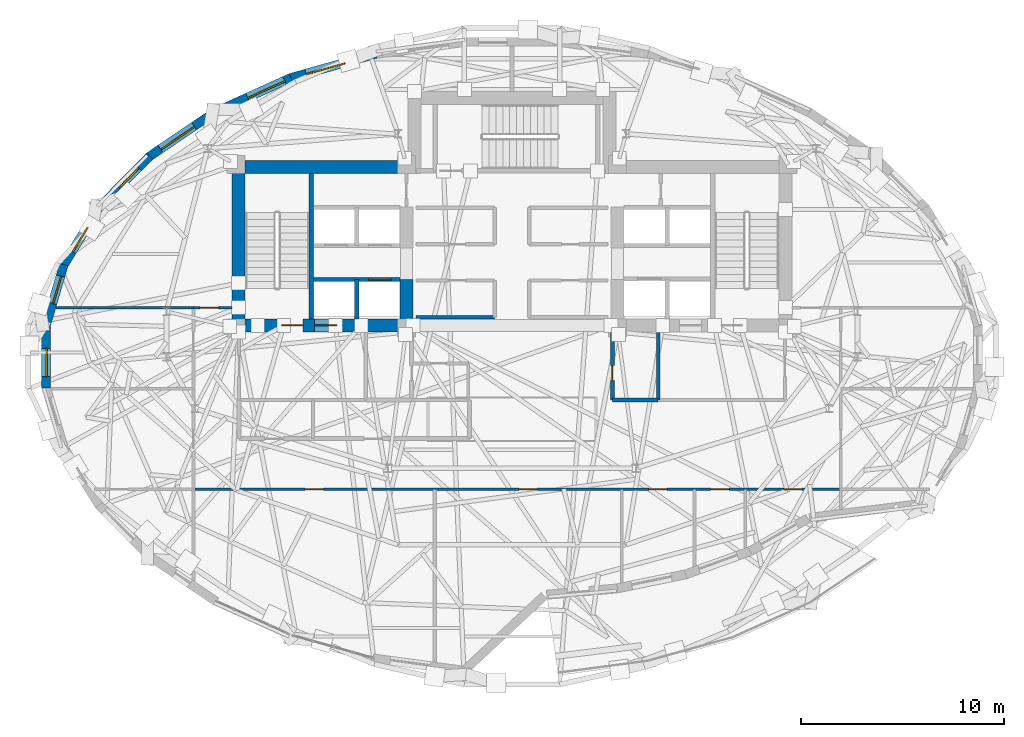
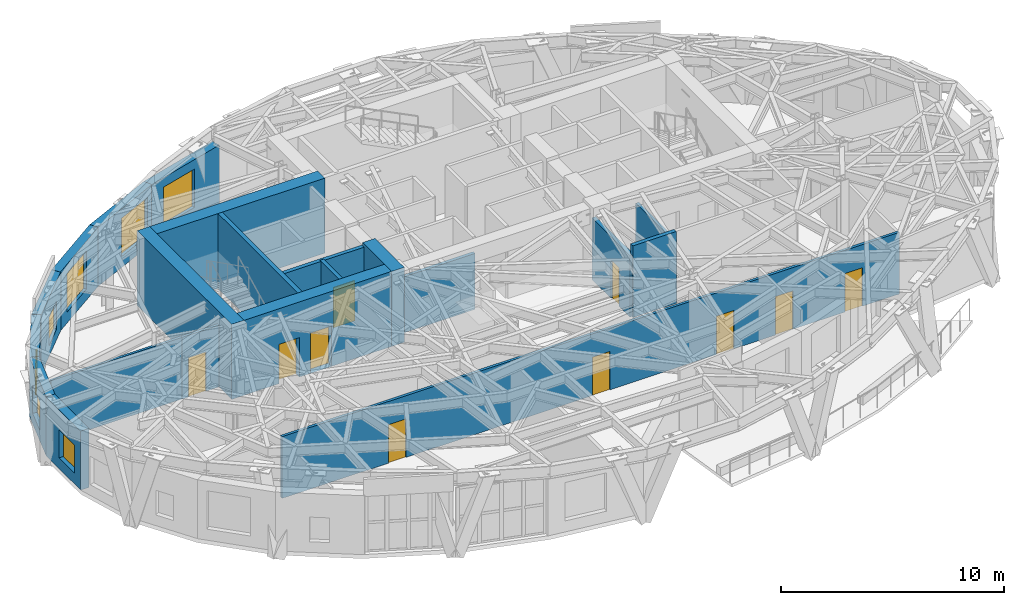
# One storey, part 9 of 15: 21 walls, 10 doors, 7 windows, 17 openings.
"""IFC4 building model written with IfcOpenShell, lengths in metres."""

from ifc_helpers import new_model, si_unit, direction, frame, frame_2d, origin, place, context, subcontext, project, spatial, rectangle, extrude, material, layer, layer_set, type_object, element, fill, save


model = new_model("IFC4")

# Units and contexts
model_context = context("Model", 3, precision=1e-05, world=origin(), true_north=direction((0.0, 1.0)))
body_context = subcontext(model_context, "Body", "Model", "MODEL_VIEW")
ifc_project = project(units=[si_unit("LENGTHUNIT", "METRE"), si_unit("AREAUNIT", "SQUARE_METRE"), si_unit("VOLUMEUNIT", "CUBIC_METRE"), si_unit("PLANEANGLEUNIT", "RADIAN"), si_unit("MASSUNIT", "GRAM", prefix="KILO")], contexts=[model_context])

# Site, building, storey
site_placement = place(None, origin())
site = spatial("IfcSite", under=ifc_project, at=site_placement, CompositionType="ELEMENT")
building_placement = place(site_placement, origin())
building = spatial("IfcBuilding", under=site, at=building_placement, Name="Keldmark Tower", CompositionType="ELEMENT")
storey_placement = place(building_placement, frame((0.0, 0.0, 205.89990234375)))
storey = spatial("IfcBuildingStorey", under=building, at=storey_placement, Name="L57", CompositionType="ELEMENT", Elevation=205.89990234375)

# Wall, openings, doors
ifc_material_1 = material(Name="Acoustic Double-Layer Gypsum Corridor Partition", Category="gypsum")
ifc_layer_1 = layer(ifc_material_1, 0.139892578125)
ifc_layer_set_1 = layer_set([ifc_layer_1], Name="Acoustic Double-Layer Gypsum Corridor Partition")
wall_type_1 = type_object("IfcWallType", Name="Acoustic Corridor Partition 140 mm", PredefinedType="PARTITIONING", material=ifc_layer_set_1)
wall_1_placement = place(storey_placement, frame((-15.699951171875, -6.550048828125, 0.0), z_axis=(0.0, 0.0, 1.0), x_axis=(1.0, 0.0, 0.0)))
wall_1 = element("IfcWall", 1, at=wall_1_placement, inside=storey, type_object=wall_type_1, Name="L57 Acoustic Corridor Partition 140 mm COR-S", PredefinedType="PARTITIONING", context=body_context, shape_type="SweptSolid", body=[
    extrude(rectangle(XDim=31.89990234375, YDim=0.139892578125, at=frame_2d((15.949951171875, 0.0))), origin(), (0.0, 0.0, 1.0), 3.373046875),
])
opening_1_placement = place(wall_1_placement, frame((5.5, 0.0, 0.0)))
opening_1 = element("IfcOpeningElement", 2, at=opening_1_placement, cuts=wall_1, Name="Opening D-IN090", PredefinedType="OPENING", context=body_context, shape_type="SweptSolid", body=[
    extrude(rectangle(XDim=0.89990234375, YDim=2.10009765625, at=frame_2d((0.449951171875, 1.050048828125))), frame((0.0, 0.079833984375, 0.0), z_axis=(0.0, -1.0, 0.0), x_axis=(1.0, 0.0, 0.0)), (0.0, 0.0, 1.0), 0.159912109375),
])
opening_2_placement = place(wall_1_placement, frame((16.050048828125, 0.0, 0.0)))
opening_2 = element("IfcOpeningElement", 3, at=opening_2_placement, cuts=wall_1, Name="Opening D-IN090", PredefinedType="OPENING", context=body_context, shape_type="SweptSolid", body=[
    extrude(rectangle(XDim=0.89990234375, YDim=2.10009765625, at=frame_2d((0.449951171875, 1.050048828125))), frame((0.0, 0.079833984375, 0.0), z_axis=(0.0, -1.0, 0.0), x_axis=(1.0, 0.0, 0.0)), (0.0, 0.0, 1.0), 0.159912109375),
])
opening_3_placement = place(wall_1_placement, frame((22.446044921875, 0.0, 0.0)))
opening_3 = element("IfcOpeningElement", 4, at=opening_3_placement, cuts=wall_1, Name="Opening D-IN090", PredefinedType="OPENING", context=body_context, shape_type="SweptSolid", body=[
    extrude(rectangle(XDim=0.89990234375, YDim=2.10009765625, at=frame_2d((0.449951171875, 1.050048828125))), frame((0.0, 0.079833984375, 0.0), z_axis=(0.0, -1.0, 0.0), x_axis=(1.0, 0.0, 0.0)), (0.0, 0.0, 1.0), 0.159912109375),
])
opening_4_placement = place(wall_1_placement, frame((25.491943359375, 0.0, 0.0)))
opening_4 = element("IfcOpeningElement", 5, at=opening_4_placement, cuts=wall_1, Name="Opening D-IN090", PredefinedType="OPENING", context=body_context, shape_type="SweptSolid", body=[
    extrude(rectangle(XDim=0.89990234375, YDim=2.10009765625, at=frame_2d((0.449951171875, 1.050048828125))), frame((0.0, 0.079833984375, 0.0), z_axis=(0.0, -1.0, 0.0), x_axis=(1.0, 0.0, 0.0)), (0.0, 0.0, 1.0), 0.159912109375),
])
opening_5_placement = place(wall_1_placement, frame((29.095947265625, 0.0, 0.0)))
opening_5 = element("IfcOpeningElement", 6, at=opening_5_placement, cuts=wall_1, Name="Opening D-IN090", PredefinedType="OPENING", context=body_context, shape_type="SweptSolid", body=[
    extrude(rectangle(XDim=0.89990234375, YDim=2.10009765625, at=frame_2d((0.449951171875, 1.050048828125))), frame((0.0, 0.079833984375, 0.0), z_axis=(0.0, -1.0, 0.0), x_axis=(1.0, 0.0, 0.0)), (0.0, 0.0, 1.0), 0.159912109375),
])
ifc_material_2 = material(Name="Stained American White Oak Veneer", Category="wood")
door_type_1 = type_object("IfcDoorType", Name="Interior Door 900x2100", OperationType="NOTDEFINED", PredefinedType="DOOR", material=ifc_material_2)
door_1_placement = place(opening_1_placement, origin())
door_1 = element("IfcDoor", 7, at=door_1_placement, inside=storey, type_object=door_type_1, Name="L57 Interior Door 900x2100 D-SR-1-L57", OperationType="SINGLE_SWING_LEFT", OverallHeight=2.10009765625, OverallWidth=0.89990234375, PredefinedType="DOOR", context=body_context, shape_type="SweptSolid", body=[
    extrude(rectangle(XDim=0.89990234375, YDim=2.10009765625, at=frame_2d((0.449951171875, 1.050048828125))), frame((0.0, 0.02490234375, 0.0), z_axis=(0.0, -1.0, 0.0), x_axis=(1.0, 0.0, 0.0)), (0.0, 0.0, 1.0), 0.050048828125),
])
fill(opening_1, door_1)
door_2_placement = place(opening_2_placement, origin())
door_2 = element("IfcDoor", 8, at=door_2_placement, inside=storey, type_object=door_type_1, Name="L57 Interior Door 900x2100 D-SR-2-L57", OperationType="SINGLE_SWING_RIGHT", OverallHeight=2.10009765625, OverallWidth=0.89990234375, PredefinedType="DOOR", context=body_context, shape_type="SweptSolid", body=[
    extrude(rectangle(XDim=0.89990234375, YDim=2.10009765625, at=frame_2d((0.449951171875, 1.050048828125))), frame((0.0, 0.02490234375, 0.0), z_axis=(0.0, -1.0, 0.0), x_axis=(1.0, 0.0, 0.0)), (0.0, 0.0, 1.0), 0.050048828125),
])
fill(opening_2, door_2)
door_3_placement = place(opening_3_placement, origin())
door_3 = element("IfcDoor", 9, at=door_3_placement, inside=storey, type_object=door_type_1, Name="L57 Interior Door 900x2100 D-SR-3-L57", OperationType="SINGLE_SWING_RIGHT", OverallHeight=2.10009765625, OverallWidth=0.89990234375, PredefinedType="DOOR", context=body_context, shape_type="SweptSolid", body=[
    extrude(rectangle(XDim=0.89990234375, YDim=2.10009765625, at=frame_2d((0.449951171875, 1.050048828125))), frame((0.0, 0.02490234375, 0.0), z_axis=(0.0, -1.0, 0.0), x_axis=(1.0, 0.0, 0.0)), (0.0, 0.0, 1.0), 0.050048828125),
])
fill(opening_3, door_3)
door_4_placement = place(opening_4_placement, origin())
door_4 = element("IfcDoor", 10, at=door_4_placement, inside=storey, type_object=door_type_1, Name="L57 Interior Door 900x2100 D-STERR-L57", OperationType="SINGLE_SWING_LEFT", OverallHeight=2.10009765625, OverallWidth=0.89990234375, PredefinedType="DOOR", context=body_context, shape_type="SweptSolid", body=[
    extrude(rectangle(XDim=0.89990234375, YDim=2.10009765625, at=frame_2d((0.449951171875, 1.050048828125))), frame((0.0, 0.02490234375, 0.0), z_axis=(0.0, -1.0, 0.0), x_axis=(1.0, 0.0, 0.0)), (0.0, 0.0, 1.0), 0.050048828125),
])
fill(opening_4, door_4)
door_5_placement = place(opening_5_placement, origin())
door_5 = element("IfcDoor", 11, at=door_5_placement, inside=storey, type_object=door_type_1, Name="L57 Interior Door 900x2100 D-SR-5-L57", OperationType="SINGLE_SWING_LEFT", OverallHeight=2.10009765625, OverallWidth=0.89990234375, PredefinedType="DOOR", context=body_context, shape_type="SweptSolid", body=[
    extrude(rectangle(XDim=0.89990234375, YDim=2.10009765625, at=frame_2d((0.449951171875, 1.050048828125))), frame((0.0, 0.02490234375, 0.0), z_axis=(0.0, -1.0, 0.0), x_axis=(1.0, 0.0, 0.0)), (0.0, 0.0, 1.0), 0.050048828125),
])
fill(opening_5, door_5)

# Wall, opening, door
wall_2_placement = place(storey_placement, frame((-15.699951171875, 2.39990234375, 0.0), z_axis=(0.0, 0.0, 1.0), x_axis=(1.0, 0.0, 0.0)))
wall_2 = element("IfcWall", 12, at=wall_2_placement, inside=storey, type_object=wall_type_1, Name="L57 Acoustic Corridor Partition 140 mm COR-WN-CAP", PredefinedType="PARTITIONING", context=body_context, shape_type="SweptSolid", body=[
    extrude(rectangle(XDim=1.89990234375, YDim=0.139892578125, at=frame_2d((0.949951171875, 0.0))), origin(), (0.0, 0.0, 1.0), 3.373046875),
])
opening_6_placement = place(wall_2_placement, frame((0.320068359375, 0.0, 0.0)))
opening_6 = element("IfcOpeningElement", 13, at=opening_6_placement, cuts=wall_2, Name="Opening D-EX092", PredefinedType="OPENING", context=body_context, shape_type="SweptSolid", body=[
    extrude(rectangle(XDim=0.919921875, YDim=2.14990234375, at=frame_2d((0.4599609375, 1.074951171875))), frame((0.0, 0.079833984375, 0.0), z_axis=(0.0, -1.0, 0.0), x_axis=(1.0, 0.0, 0.0)), (0.0, 0.0, 1.0), 0.159912109375),
])
ifc_material_3 = material(Name="Flush American Ash Executive Office Door", Category="wood")
door_type_2 = type_object("IfcDoorType", Name="Executive Office Door 920x2150", OperationType="NOTDEFINED", PredefinedType="DOOR", material=ifc_material_3)
door_6_placement = place(opening_6_placement, origin())
door_6 = element("IfcDoor", 14, at=door_6_placement, inside=storey, type_object=door_type_2, Name="L57 Executive Office Door 920x2150 D-NRNW-L57", OperationType="SINGLE_SWING_LEFT", OverallHeight=2.14990234375, OverallWidth=0.919921875, PredefinedType="DOOR", context=body_context, shape_type="SweptSolid", body=[
    extrude(rectangle(XDim=0.919921875, YDim=2.14990234375, at=frame_2d((0.4599609375, 1.074951171875))), frame((0.0, 0.02490234375, 0.0), z_axis=(0.0, -1.0, 0.0), x_axis=(1.0, 0.0, 0.0)), (0.0, 0.0, 1.0), 0.050048828125),
])
fill(opening_6, door_6)

# Walls
ifc_material_4 = material(Name="Acoustic Gypsum Board Interior Partition", Category="gypsum")
ifc_layer_2 = layer(ifc_material_4, 0.1298828125)
ifc_layer_set_2 = layer_set([ifc_layer_2], Name="Acoustic Gypsum Board Interior Partition")
wall_type_2 = type_object("IfcWallType", Name="Interior Partition 130 mm", PredefinedType="PARTITIONING", material=ifc_layer_set_2)
wall_3_placement = place(storey_placement, frame((-22.47119140625, 2.39990234375, 0.0), z_axis=(0.0, 0.0, 1.0), x_axis=(1.0, 0.0, 0.0)))
element("IfcWall", 15, at=wall_3_placement, inside=storey, type_object=wall_type_2, Name="L57 Interior Partition 130 mm W-CAP-N", PredefinedType="PARTITIONING", context=body_context, shape_type="SweptSolid", body=[
    extrude(rectangle(XDim=6.771240234375, YDim=0.1298828125, at=frame_2d((3.3857421875, 0.0))), origin(), (0.0, 0.0, 1.0), 3.373046875),
])
ifc_material_5 = material(Name="Type X Fire-Rated Gypsum Partition Assembly", Category="gypsum")
ifc_layer_3 = layer(ifc_material_5, 0.1650390625)
ifc_layer_set_3 = layer_set([ifc_layer_3], Name="Type X Fire-Rated Gypsum Partition Assembly")
wall_type_3 = type_object("IfcWallType", Name="Rated Partition 165 mm", PredefinedType="PARTITIONING", material=ifc_layer_set_3)
wall_4_placement = place(storey_placement, frame((7.199951171875, -2.14990234375, 0.0), z_axis=(0.0, 0.0, 1.0), x_axis=(0.0, 1.0, 0.0)))
element("IfcWall", 16, at=wall_4_placement, inside=storey, type_object=wall_type_3, Name="L57 Rated Partition 165 mm FSAE-E-W", PredefinedType="PARTITIONING", context=body_context, shape_type="SweptSolid", body=[
    extrude(rectangle(XDim=3.39990234375, YDim=0.1650390625, at=frame_2d((1.699951171875, 0.0))), origin(), (0.0, 0.0, 1.0), 3.373046875),
])
wall_5_placement = place(storey_placement, frame((-4.739990234375, 1.919921875, 0.0), z_axis=(0.0, 0.0, 1.0), x_axis=(1.0, 0.0, 0.0)))
element("IfcWall", 17, at=wall_5_placement, inside=storey, type_object=wall_type_3, Name="L57 Rated Partition 165 mm REC-LW-S", PredefinedType="PARTITIONING", context=body_context, shape_type="SweptSolid", body=[
    extrude(rectangle(XDim=3.889892578125, YDim=0.1650390625, at=frame_2d((1.94482421875, 0.0))), origin(), (0.0, 0.0, 1.0), 3.06005859375),
])
ifc_material_6 = material(Name="Fire-Resistant Type X Gypsum Shaftliner Coreboard", Category="gypsum")
ifc_layer_4 = layer(ifc_material_6, 0.199951171875)
ifc_layer_set_4 = layer_set([ifc_layer_4], Name="Fire-Resistant Type X Gypsum Shaftliner Coreboard")
wall_type_4 = type_object("IfcWallType", Name="Shaft Wall 200 mm", PredefinedType="SOLIDWALL", material=ifc_layer_set_4)
wall_6_placement = place(storey_placement, frame((4.949951171875, -2.14990234375, 0.0), z_axis=(0.0, 0.0, 1.0), x_axis=(1.0, 0.0, 0.0)))
element("IfcWall", 18, at=wall_6_placement, inside=storey, type_object=wall_type_4, Name="L57 Shaft Wall 200 mm RIS-SE-S", PredefinedType="SOLIDWALL", context=body_context, shape_type="SweptSolid", body=[
    extrude(rectangle(XDim=2.25, YDim=0.199951171875, at=frame_2d((1.125, 0.0))), origin(), (0.0, 0.0, 1.0), 3.920166015625),
])

# Wall, opening, door
wall_7_placement = place(storey_placement, frame((4.949951171875, -2.14990234375, 0.0), z_axis=(0.0, 0.0, 1.0), x_axis=(0.0, 1.0, 0.0)))
wall_7 = element("IfcWall", 19, at=wall_7_placement, inside=storey, type_object=wall_type_4, Name="L57 Shaft Wall 200 mm RIS-SE-W", PredefinedType="SOLIDWALL", context=body_context, shape_type="SweptSolid", body=[
    extrude(rectangle(XDim=3.39990234375, YDim=0.199951171875, at=frame_2d((1.699951171875, 0.0))), origin(), (0.0, 0.0, 1.0), 3.373046875),
])
opening_7_placement = place(wall_7_placement, frame((0.949951171875, 0.0, 0.0)))
opening_7 = element("IfcOpeningElement", 20, at=opening_7_placement, cuts=wall_7, Name="Opening D-RS075", PredefinedType="OPENING", context=body_context, shape_type="SweptSolid", body=[
    extrude(rectangle(XDim=0.75, YDim=2.10009765625, at=frame_2d((0.375, 1.050048828125))), frame((0.0, 0.10986328125, 0.0), z_axis=(0.0, -1.0, 0.0), x_axis=(1.0, 0.0, 0.0)), (0.0, 0.0, 1.0), 0.219970703125),
])
ifc_material_7 = material(Name="Galvanized Fire-Rated Access Leaf", Category="metal")
door_type_3 = type_object("IfcDoorType", Name="Riser Access Door 750x2100", OperationType="NOTDEFINED", PredefinedType="DOOR", material=ifc_material_7)
door_7_placement = place(opening_7_placement, origin())
door_7 = element("IfcDoor", 21, at=door_7_placement, inside=storey, type_object=door_type_3, Name="L57 Riser Access Door 750x2100 D-RISSE-L57", OperationType="SINGLE_SWING_LEFT", OverallHeight=2.10009765625, OverallWidth=0.75, PredefinedType="DOOR", context=body_context, shape_type="SweptSolid", body=[
    extrude(rectangle(XDim=0.75, YDim=2.10009765625, at=frame_2d((0.375, 1.050048828125))), frame((0.0, 0.02490234375, 0.0), z_axis=(0.0, -1.0, 0.0), x_axis=(1.0, 0.0, 0.0)), (0.0, 0.0, 1.0), 0.050048828125),
])
fill(opening_7, door_7)

wall_8_placement = place(storey_placement, frame((-9.780029296875, 3.780029296875, 0.0), z_axis=(0.0, 0.0, 1.0), x_axis=(1.0, 0.0, 0.0)))
wall_8 = element("IfcWall", 22, at=wall_8_placement, inside=storey, type_object=wall_type_4, Name="L57 Shaft Wall 200 mm HW-W-S", PredefinedType="SOLIDWALL", context=body_context, shape_type="SweptSolid", body=[
    extrude(rectangle(XDim=4.255126953125, YDim=0.199951171875, at=frame_2d((2.12744140625, 0.0))), origin(), (0.0, 0.0, 1.0), 3.920166015625),
])
opening_8_placement = place(wall_8_placement, frame((2.719970703125, 0.0, 0.0)))
opening_8 = element("IfcOpeningElement", 23, at=opening_8_placement, cuts=wall_8, Name="Opening LD-110", PredefinedType="OPENING", context=body_context, shape_type="SweptSolid", body=[
    extrude(rectangle(XDim=1.10009765625, YDim=2.199951171875, at=frame_2d((0.550048828125, 1.10009765625))), frame((0.0, 0.10986328125, 0.0), z_axis=(0.0, -1.0, 0.0), x_axis=(1.0, 0.0, 0.0)), (0.0, 0.0, 1.0), 0.219970703125),
])
ifc_material_8 = material(Name="Brushed Bronze Hoistway Sliding Leaf", Category="metal")
door_type_4 = type_object("IfcDoorType", Name="Lift Landing Sliding Door 1100x2200", OperationType="SLIDING_TO_LEFT", PredefinedType="DOOR", material=ifc_material_8)
door_8_placement = place(opening_8_placement, origin())
door_8 = element("IfcDoor", 24, at=door_8_placement, inside=storey, type_object=door_type_4, Name="L57 Lift Landing Sliding Door 1100x2200 LD-EL-H3-L57", OperationType="SLIDING_TO_LEFT", OverallHeight=2.199951171875, OverallWidth=1.10009765625, PredefinedType="DOOR", context=body_context, shape_type="SweptSolid", body=[
    extrude(rectangle(XDim=1.10009765625, YDim=2.199951171875, at=frame_2d((0.550048828125, 1.10009765625))), frame((0.0, 0.02490234375, 0.0), z_axis=(0.0, -1.0, 0.0), x_axis=(1.0, 0.0, 0.0)), (0.0, 0.0, 1.0), 0.050048828125),
])
fill(opening_8, door_8)

# Walls
wall_9_placement = place(storey_placement, frame((-7.64990234375, 1.85009765625, 0.0), z_axis=(0.0, 0.0, 1.0), x_axis=(0.0, 1.0, 0.0)))
element("IfcWall", 25, at=wall_9_placement, inside=storey, type_object=wall_type_4, Name="L57 Shaft Wall 200 mm HW-W-M", PredefinedType="SOLIDWALL", context=body_context, shape_type="SweptSolid", body=[
    extrude(rectangle(XDim=1.929931640625, YDim=0.199951171875, at=frame_2d((0.96484375, 0.0))), origin(), (0.0, 0.0, 1.0), 3.920166015625),
])
ifc_material_9 = material(Name="Concrete C50/60", Category="concrete")
ifc_layer_5 = layer(ifc_material_9, 0.219970703125)
ifc_layer_set_5 = layer_set([ifc_layer_5], Name="Concrete C50/60")
wall_type_5 = type_object("IfcWallType", Name="Stair Core Shear Wall 220 mm", PredefinedType="SHEAR", material=ifc_layer_set_5)
wall_10_placement = place(storey_placement, frame((-9.889892578125, 1.85009765625, 0.0), z_axis=(0.0, 0.0, 1.0), x_axis=(0.0, 1.0, 0.0)))
element("IfcWall", 26, at=wall_10_placement, inside=storey, type_object=wall_type_5, Name="L57 West Stair Core Shear Wall", PredefinedType="SHEAR", context=body_context, shape_type="SweptSolid", body=[
    extrude(rectangle(XDim=7.14990234375, YDim=0.219970703125, at=frame_2d((3.574951171875, 0.0))), origin(), (0.0, 0.0, 1.0), 4.10009765625),
])

# Wall, opening, window
ifc_material_10 = material(Name="Ironspot Manganese Brick and Kasota Buff Limestone Spandrel Assembly", Category="masonry")
ifc_layer_6 = layer(ifc_material_10, 0.43994140625)
ifc_layer_set_6 = layer_set([ifc_layer_6], Name="Ironspot Manganese Brick and Kasota Buff Limestone Spandrel Assembly")
wall_type_6 = type_object("IfcWallType", Name="Tower Brick Pier and Spandrel Wall 440 mm", PredefinedType="STANDARD", material=ifc_layer_set_6)
wall_11_placement = place(storey_placement, frame((-10.924072265625, 13.72265625, 0.0), z_axis=(0.0, 0.0, 1.0), x_axis=(0.962743881764, 0.270414899969, 0.0)))
wall_11 = element("IfcWall", 27, at=wall_11_placement, inside=storey, type_object=wall_type_6, Name="L57 Exterior Brick and Spandrel Wall 10", PredefinedType="STANDARD", context=body_context, shape_type="SweptSolid", body=[
    extrude(rectangle(XDim=4.38330078125, YDim=0.43994140625, at=frame_2d((2.191650390625, 0.0))), origin(), (0.0, 0.0, 1.0), 3.215087890625),
])
opening_9_placement = place(wall_11_placement, frame((0.794921875, 0.0, 0.60009765625)))
opening_9 = element("IfcOpeningElement", 28, at=opening_9_placement, cuts=wall_11, Name="Opening W-06", PredefinedType="OPENING", context=body_context, shape_type="SweptSolid", body=[
    extrude(rectangle(XDim=2.0, YDim=2.10009765625, at=frame_2d((1.0, 1.050048828125))), frame((0.0, 0.22998046875, 0.0), z_axis=(0.0, -1.0, 0.0), x_axis=(1.0, 0.0, 0.0)), (0.0, 0.0, 1.0), 0.4599609375),
])
ifc_material_11 = material(Name="Thermally Broken Anodized Aluminum and Triple Low-E Argon Glazing", Category="aluminium")
window_type_1 = type_object("IfcWindowType", Name="Sky Lounge Tall Punched Window 2000x2100", PartitioningType="SINGLE_PANEL", PredefinedType="WINDOW", material=ifc_material_11)
window_1_placement = place(opening_9_placement, origin())
window_1 = element("IfcWindow", 29, at=window_1_placement, inside=storey, type_object=window_type_1, Name="L57 Deep-Set Window 10", OverallHeight=2.10009765625, OverallWidth=2.0, PartitioningType="SINGLE_PANEL", PredefinedType="WINDOW", context=body_context, shape_type="SweptSolid", body=[
    extrude(rectangle(XDim=2.0, YDim=2.10009765625, at=frame_2d((1.0, 1.050048828125))), frame((0.0, -0.010009765625, 0.0), z_axis=(0.0, -1.0, 0.0), x_axis=(1.0, 0.0, 0.0)), (0.0, 0.0, 1.0), 0.06005859375),
])
fill(opening_9, window_1)

wall_12_placement = place(storey_placement, frame((-14.690673828125, 12.01318359375, 0.0), z_axis=(0.0, 0.0, 1.0), x_axis=(0.910881102331, 0.412668895624, 0.0)))
wall_12 = element("IfcWall", 30, at=wall_12_placement, inside=storey, type_object=wall_type_6, Name="L57 Exterior Brick and Spandrel Wall 11", PredefinedType="STANDARD", context=body_context, shape_type="SweptSolid", body=[
    extrude(rectangle(XDim=4.169677734375, YDim=0.43994140625, at=frame_2d((2.0849609375, 0.0))), origin(), (0.0, 0.0, 1.0), 3.215087890625),
])
opening_10_placement = place(wall_12_placement, frame((1.822021484375, 0.0, 0.60009765625)))
opening_10 = element("IfcOpeningElement", 31, at=opening_10_placement, cuts=wall_12, Name="Opening W-06", PredefinedType="OPENING", context=body_context, shape_type="SweptSolid", body=[
    extrude(rectangle(XDim=2.0, YDim=2.10009765625, at=frame_2d((1.0, 1.050048828125))), frame((0.0, 0.22998046875, 0.0), z_axis=(0.0, -1.0, 0.0), x_axis=(1.0, 0.0, 0.0)), (0.0, 0.0, 1.0), 0.4599609375),
])
window_2_placement = place(opening_10_placement, origin())
window_2 = element("IfcWindow", 32, at=window_2_placement, inside=storey, type_object=window_type_1, Name="L57 Deep-Set Window 11", OverallHeight=2.10009765625, OverallWidth=2.0, PartitioningType="SINGLE_PANEL", PredefinedType="WINDOW", context=body_context, shape_type="SweptSolid", body=[
    extrude(rectangle(XDim=2.0, YDim=2.10009765625, at=frame_2d((1.0, 1.050048828125))), frame((0.0, -0.010009765625, 0.0), z_axis=(0.0, -1.0, 0.0), x_axis=(1.0, 0.0, 0.0)), (0.0, 0.0, 1.0), 0.06005859375),
])
fill(opening_10, window_2)

wall_13_placement = place(storey_placement, frame((-17.8876953125, 9.84130859375, 0.0), z_axis=(0.0, 0.0, 1.0), x_axis=(0.827644957237, 0.561252015373, 0.0)))
wall_13 = element("IfcWall", 33, at=wall_13_placement, inside=storey, type_object=wall_type_6, Name="L57 Exterior Brick and Spandrel Wall 12", PredefinedType="STANDARD", context=body_context, shape_type="SweptSolid", body=[
    extrude(rectangle(XDim=3.90234375, YDim=0.43994140625, at=frame_2d((1.951171875, 0.0))), origin(), (0.0, 0.0, 1.0), 3.218994140625),
])
opening_11_placement = place(wall_13_placement, frame((0.6845703125, 0.0, 0.60009765625)))
opening_11 = element("IfcOpeningElement", 34, at=opening_11_placement, cuts=wall_13, Name="Opening W-06", PredefinedType="OPENING", context=body_context, shape_type="SweptSolid", body=[
    extrude(rectangle(XDim=2.0, YDim=2.10009765625, at=frame_2d((1.0, 1.050048828125))), frame((0.0, 0.22998046875, 0.0), z_axis=(0.0, -1.0, 0.0), x_axis=(1.0, 0.0, 0.0)), (0.0, 0.0, 1.0), 0.4599609375),
])
window_3_placement = place(opening_11_placement, origin())
window_3 = element("IfcWindow", 35, at=window_3_placement, inside=storey, type_object=window_type_1, Name="L57 Deep-Set Window 12", OverallHeight=2.10009765625, OverallWidth=2.0, PartitioningType="SINGLE_PANEL", PredefinedType="WINDOW", context=body_context, shape_type="SweptSolid", body=[
    extrude(rectangle(XDim=2.0, YDim=2.10009765625, at=frame_2d((1.0, 1.050048828125))), frame((0.0, -0.010009765625, 0.0), z_axis=(0.0, -1.0, 0.0), x_axis=(1.0, 0.0, 0.0)), (0.0, 0.0, 1.0), 0.06005859375),
])
fill(opening_11, window_3)

wall_14_placement = place(storey_placement, frame((-20.39208984375, 7.293701171875, 0.0), z_axis=(0.0, 0.0, 1.0), x_axis=(0.701887992659, 0.712287333708, 0.0)))
wall_14 = element("IfcWall", 36, at=wall_14_placement, inside=storey, type_object=wall_type_6, Name="L57 Exterior Brick and Spandrel Wall 13", PredefinedType="STANDARD", context=body_context, shape_type="SweptSolid", body=[
    extrude(rectangle(XDim=3.615478515625, YDim=0.43994140625, at=frame_2d((1.8076171875, 0.0))), origin(), (0.0, 0.0, 1.0), 3.215087890625),
])
opening_12_placement = place(wall_14_placement, frame((1.4267578125, 0.0, 0.580078125)))
opening_12 = element("IfcOpeningElement", 37, at=opening_12_placement, cuts=wall_14, Name="Opening W-08", PredefinedType="OPENING", context=body_context, shape_type="SweptSolid", body=[
    extrude(rectangle(XDim=1.39990234375, YDim=1.550048828125, at=frame_2d((0.699951171875, 0.77490234375))), frame((0.0, 0.22998046875, 0.0), z_axis=(0.0, -1.0, 0.0), x_axis=(1.0, 0.0, 0.0)), (0.0, 0.0, 1.0), 0.4599609375),
])
ifc_material_12 = material(Name="Thermally Broken Anodized Aluminum and Triple Low-E Argon Glazing", Category="aluminium")
window_type_2 = type_object("IfcWindowType", Name="Residential Corner Punched Window 1400x1550", PartitioningType="SINGLE_PANEL", PredefinedType="WINDOW", material=ifc_material_12)
window_4_placement = place(opening_12_placement, origin())
window_4 = element("IfcWindow", 38, at=window_4_placement, inside=storey, type_object=window_type_2, Name="L57 Deep-Set Window 13", OverallHeight=1.550048828125, OverallWidth=1.39990234375, PartitioningType="SINGLE_PANEL", PredefinedType="WINDOW", context=body_context, shape_type="SweptSolid", body=[
    extrude(rectangle(XDim=1.39990234375, YDim=1.550048828125, at=frame_2d((0.699951171875, 0.77490234375))), frame((0.0, -0.010009765625, 0.0), z_axis=(0.0, -1.0, 0.0), x_axis=(1.0, 0.0, 0.0)), (0.0, 0.0, 1.0), 0.06005859375),
])
fill(opening_12, window_4)

wall_15_placement = place(storey_placement, frame((-22.10888671875, 4.4716796875, 0.0), z_axis=(0.0, 0.0, 1.0), x_axis=(0.521214394333, 0.853425775999, 0.0)))
wall_15 = element("IfcWall", 39, at=wall_15_placement, inside=storey, type_object=wall_type_6, Name="L57 Exterior Brick and Spandrel Wall 14", PredefinedType="STANDARD", context=body_context, shape_type="SweptSolid", body=[
    extrude(rectangle(XDim=3.353271484375, YDim=0.43994140625, at=frame_2d((1.6767578125, 0.0))), origin(), (0.0, 0.0, 1.0), 3.215087890625),
])
opening_13_placement = place(wall_15_placement, frame((0.8310546875, 0.0, 0.580078125)))
opening_13 = element("IfcOpeningElement", 40, at=opening_13_placement, cuts=wall_15, Name="Opening W-08", PredefinedType="OPENING", context=body_context, shape_type="SweptSolid", body=[
    extrude(rectangle(XDim=1.39990234375, YDim=1.550048828125, at=frame_2d((0.699951171875, 0.77490234375))), frame((0.0, 0.22998046875, 0.0), z_axis=(0.0, -1.0, 0.0), x_axis=(1.0, 0.0, 0.0)), (0.0, 0.0, 1.0), 0.4599609375),
])
window_5_placement = place(opening_13_placement, origin())
window_5 = element("IfcWindow", 41, at=window_5_placement, inside=storey, type_object=window_type_2, Name="L57 Deep-Set Window 14", OverallHeight=1.550048828125, OverallWidth=1.39990234375, PartitioningType="SINGLE_PANEL", PredefinedType="WINDOW", context=body_context, shape_type="SweptSolid", body=[
    extrude(rectangle(XDim=1.39990234375, YDim=1.550048828125, at=frame_2d((0.699951171875, 0.77490234375))), frame((0.0, -0.010009765625, 0.0), z_axis=(0.0, -1.0, 0.0), x_axis=(1.0, 0.0, 0.0)), (0.0, 0.0, 1.0), 0.06005859375),
])
fill(opening_13, window_5)

wall_16_placement = place(storey_placement, frame((-22.976806640625, 1.48681640625, 0.0), z_axis=(0.0, 0.0, 1.0), x_axis=(0.281477355005, 0.959567870773, 0.0)))
wall_16 = element("IfcWall", 42, at=wall_16_placement, inside=storey, type_object=wall_type_6, Name="L57 Exterior Brick and Spandrel Wall 15", PredefinedType="STANDARD", context=body_context, shape_type="SweptSolid", body=[
    extrude(rectangle(XDim=3.165771484375, YDim=0.43994140625, at=frame_2d((1.5830078125, 0.0))), origin(), (0.0, 0.0, 1.0), 3.215087890625),
])
opening_14_placement = place(wall_16_placement, frame((1.175537109375, 0.0, 0.580078125)))
opening_14 = element("IfcOpeningElement", 43, at=opening_14_placement, cuts=wall_16, Name="Opening W-08", PredefinedType="OPENING", context=body_context, shape_type="SweptSolid", body=[
    extrude(rectangle(XDim=1.39990234375, YDim=1.550048828125, at=frame_2d((0.699951171875, 0.77490234375))), frame((0.0, 0.22998046875, 0.0), z_axis=(0.0, -1.0, 0.0), x_axis=(1.0, 0.0, 0.0)), (0.0, 0.0, 1.0), 0.4599609375),
])
window_6_placement = place(opening_14_placement, origin())
window_6 = element("IfcWindow", 44, at=window_6_placement, inside=storey, type_object=window_type_2, Name="L57 Deep-Set Window 15", OverallHeight=1.550048828125, OverallWidth=1.39990234375, PartitioningType="SINGLE_PANEL", PredefinedType="WINDOW", context=body_context, shape_type="SweptSolid", body=[
    extrude(rectangle(XDim=1.39990234375, YDim=1.550048828125, at=frame_2d((0.699951171875, 0.77490234375))), frame((0.0, -0.010009765625, 0.0), z_axis=(0.0, -1.0, 0.0), x_axis=(1.0, 0.0, 0.0)), (0.0, 0.0, 1.0), 0.06005859375),
])
fill(opening_14, window_6)

wall_17_placement = place(storey_placement, frame((-22.9677734375, -1.548583984375, 0.0), z_axis=(0.0, 0.0, 1.0), x_axis=(0.0, 1.0, 0.0)))
wall_17 = element("IfcWall", 45, at=wall_17_placement, inside=storey, type_object=wall_type_6, Name="L57 Exterior Brick and Spandrel Wall 16", PredefinedType="STANDARD", context=body_context, shape_type="SweptSolid", body=[
    extrude(rectangle(XDim=3.09716796875, YDim=0.43994140625, at=frame_2d((1.548583984375, 0.0))), origin(), (0.0, 0.0, 1.0), 3.218994140625),
])
opening_15_placement = place(wall_17_placement, frame((0.54931640625, 0.0, 0.580078125)))
opening_15 = element("IfcOpeningElement", 46, at=opening_15_placement, cuts=wall_17, Name="Opening W-08", PredefinedType="OPENING", context=body_context, shape_type="SweptSolid", body=[
    extrude(rectangle(XDim=1.39990234375, YDim=1.550048828125, at=frame_2d((0.699951171875, 0.77490234375))), frame((0.0, 0.22998046875, 0.0), z_axis=(0.0, -1.0, 0.0), x_axis=(1.0, 0.0, 0.0)), (0.0, 0.0, 1.0), 0.4599609375),
])
window_7_placement = place(opening_15_placement, origin())
window_7 = element("IfcWindow", 47, at=window_7_placement, inside=storey, type_object=window_type_2, Name="L57 Deep-Set Window 16", OverallHeight=1.550048828125, OverallWidth=1.39990234375, PartitioningType="SINGLE_PANEL", PredefinedType="WINDOW", context=body_context, shape_type="SweptSolid", body=[
    extrude(rectangle(XDim=1.39990234375, YDim=1.550048828125, at=frame_2d((0.699951171875, 0.77490234375))), frame((0.0, -0.010009765625, 0.0), z_axis=(0.0, -1.0, 0.0), x_axis=(1.0, 0.0, 0.0)), (0.0, 0.0, 1.0), 0.06005859375),
])
fill(opening_15, window_7)

# Walls
ifc_material_13 = material(Name="Concrete C50/60", Category="concrete")
ifc_layer_7 = layer(ifc_material_13, 0.64990234375)
ifc_layer_set_7 = layer_set([ifc_layer_7], Name="Concrete C50/60")
wall_type_7 = type_object("IfcWallType", Name="Upper-Mid Core Shear Wall 650 mm", PredefinedType="SHEAR", material=ifc_layer_set_7)
wall_18_placement = place(storey_placement, frame((-13.47509765625, 1.199951171875, 0.0), z_axis=(0.0, 0.0, 1.0), x_axis=(0.0, 1.0, 0.0)))
element("IfcWall", 48, at=wall_18_placement, inside=storey, type_object=wall_type_7, Name="L57 West Core Outer Shear Wall", PredefinedType="SHEAR", context=body_context, shape_type="SweptSolid", body=[
    extrude(rectangle(XDim=8.449951171875, YDim=0.64990234375, at=frame_2d((4.22509765625, 0.0))), origin(), (0.0, 0.0, 1.0), 4.10009765625),
])
wall_19_placement = place(storey_placement, frame((-13.800048828125, 9.324951171875, 0.0), z_axis=(0.0, 0.0, 1.0), x_axis=(1.0, 0.0, 0.0)))
element("IfcWall", 49, at=wall_19_placement, inside=storey, type_object=wall_type_7, Name="L57 West Core North Shear Wall", PredefinedType="SHEAR", context=body_context, shape_type="SweptSolid", body=[
    extrude(rectangle(XDim=9.324951171875, YDim=0.64990234375, at=frame_2d((4.66259765625, 0.0))), origin(), (0.0, 0.0, 1.0), 4.10009765625),
])

# Wall, openings, doors
wall_20_placement = place(storey_placement, frame((-4.875, 1.52490234375, 0.0), z_axis=(0.0, 0.0, 1.0), x_axis=(-1.0, 0.0, 0.0)))
wall_20 = element("IfcWall", 50, at=wall_20_placement, inside=storey, type_object=wall_type_7, Name="L57 West Core South Shear Wall", PredefinedType="SHEAR", context=body_context, shape_type="SweptSolid", body=[
    extrude(rectangle(XDim=8.925048828125, YDim=0.64990234375, at=frame_2d((4.46240234375, 0.0))), origin(), (0.0, 0.0, 1.0), 4.10009765625),
])
opening_16_placement = place(wall_20_placement, frame((5.425048828125, 0.0, 0.0)))
opening_16 = element("IfcOpeningElement", 51, at=opening_16_placement, cuts=wall_20, Name="Opening D-ST105", PredefinedType="OPENING", context=body_context, shape_type="SweptSolid", body=[
    extrude(rectangle(XDim=1.050048828125, YDim=2.14990234375, at=frame_2d((0.52490234375, 1.074951171875))), frame((0.0, 0.3349609375, 0.0), z_axis=(0.0, -1.0, 0.0), x_axis=(1.0, 0.0, 0.0)), (0.0, 0.0, 1.0), 0.669921875),
])
opening_17_placement = place(wall_20_placement, frame((3.7548828125, 0.0, 0.0)))
opening_17 = element("IfcOpeningElement", 52, at=opening_17_placement, cuts=wall_20, Name="Opening LD-110", PredefinedType="OPENING", context=body_context, shape_type="SweptSolid", body=[
    extrude(rectangle(XDim=1.10009765625, YDim=2.199951171875, at=frame_2d((0.550048828125, 1.10009765625))), frame((0.0, 0.3349609375, 0.0), z_axis=(0.0, -1.0, 0.0), x_axis=(1.0, 0.0, 0.0)), (0.0, 0.0, 1.0), 0.669921875),
])
door_9_placement = place(opening_17_placement, origin())
door_9 = element("IfcDoor", 53, at=door_9_placement, inside=storey, type_object=door_type_4, Name="L57 Lift Landing Sliding Door 1100x2200 LD-EL-FS1-L57", OperationType="SLIDING_TO_LEFT", OverallHeight=2.199951171875, OverallWidth=1.10009765625, PredefinedType="DOOR", context=body_context, shape_type="SweptSolid", body=[
    extrude(rectangle(XDim=1.10009765625, YDim=2.199951171875, at=frame_2d((0.550048828125, 1.10009765625))), frame((0.0, 0.02490234375, 0.0), z_axis=(0.0, -1.0, 0.0), x_axis=(1.0, 0.0, 0.0)), (0.0, 0.0, 1.0), 0.050048828125),
])
fill(opening_17, door_9)
ifc_material_14 = material(Name="Hollow Metal Fire-Rated Door Assembly", Category="metal")
door_type_5 = type_object("IfcDoorType", Name="Stair Fire Door 1050x2150", OperationType="NOTDEFINED", PredefinedType="DOOR", material=ifc_material_14)
door_10_placement = place(opening_16_placement, origin())
door_10 = element("IfcDoor", 54, at=door_10_placement, inside=storey, type_object=door_type_5, Name="L57 Stair Fire Door 1050x2150 D-ST1-L57", OperationType="SINGLE_SWING_RIGHT", OverallHeight=2.14990234375, OverallWidth=1.050048828125, PredefinedType="DOOR", context=body_context, shape_type="SweptSolid", body=[
    extrude(rectangle(XDim=1.050048828125, YDim=2.14990234375, at=frame_2d((0.52490234375, 1.074951171875))), frame((0.0, 0.02490234375, 0.0), z_axis=(0.0, -1.0, 0.0), x_axis=(1.0, 0.0, 0.0)), (0.0, 0.0, 1.0), 0.050048828125),
])
fill(opening_16, door_10)

# Wall
wall_21_placement = place(storey_placement, frame((-5.199951171875, 1.199951171875, 0.0), z_axis=(0.0, 0.0, 1.0), x_axis=(0.0, 1.0, 0.0)))
element("IfcWall", 55, at=wall_21_placement, inside=storey, type_object=wall_type_7, Name="L57 West Core Inner Shear Pier South", PredefinedType="SHEAR", context=body_context, shape_type="SweptSolid", body=[
    extrude(rectangle(XDim=2.60009765625, YDim=0.64990234375, at=frame_2d((1.300048828125, 0.0))), origin(), (0.0, 0.0, 1.0), 4.10009765625),
])

save(model, "model.ifc")
